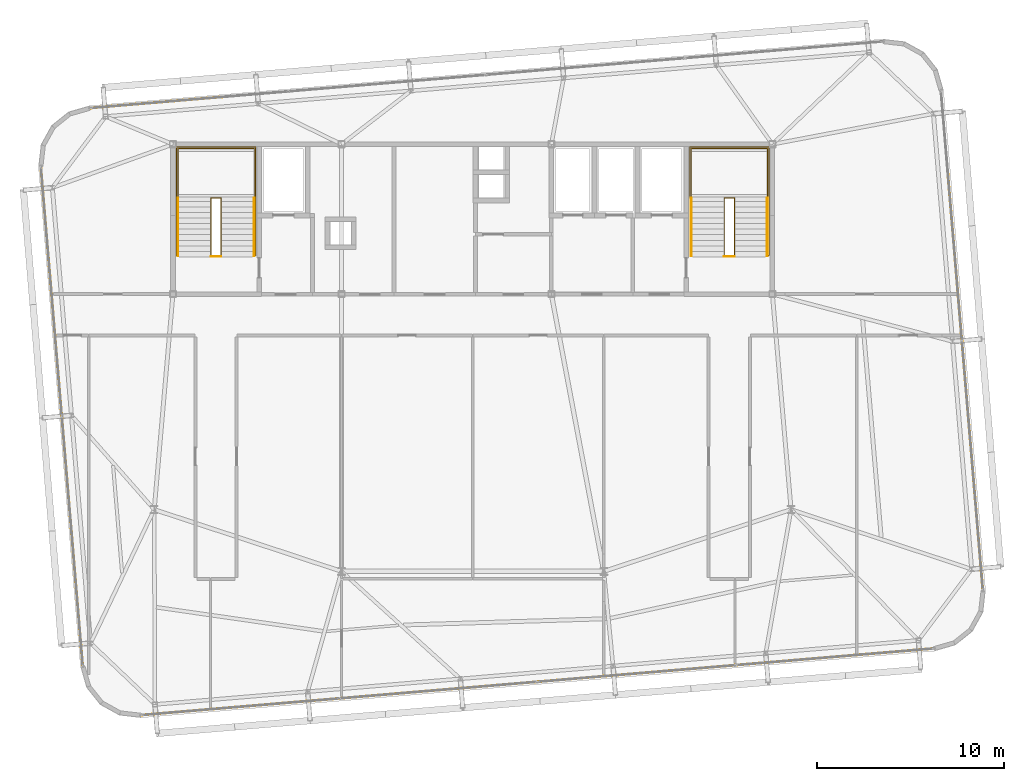
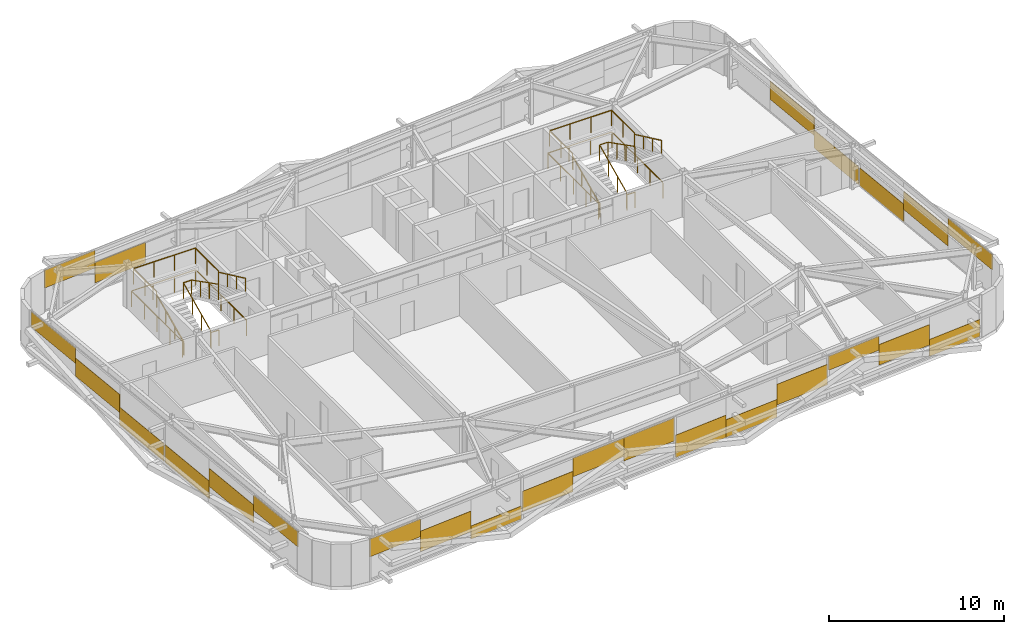
# One storey, part 38 of 39: 25 coverings, 12 railings.
"""IFC4 building model written with IfcOpenShell, lengths in metres."""

from ifc_helpers import new_model, si_unit, direction, frame, origin, origin_2d, place, context, subcontext, project, spatial, rectangle, extrude, source, transform, mapped, material, layer, layer_set, type_object, element, save


model = new_model("IFC4")

# Units and contexts
model_context = context("Model", 3, precision=1e-05, world=origin(), true_north=direction((0.0, 1.0)))
body_context = subcontext(model_context, "Body", "Model", "MODEL_VIEW")
ifc_project = project(units=[si_unit("LENGTHUNIT", "METRE"), si_unit("AREAUNIT", "SQUARE_METRE"), si_unit("VOLUMEUNIT", "CUBIC_METRE"), si_unit("PLANEANGLEUNIT", "RADIAN"), si_unit("MASSUNIT", "GRAM", prefix="KILO")], contexts=[model_context])

# Site, building, storey
site_placement = place(None, origin())
site = spatial("IfcSite", under=ifc_project, at=site_placement, CompositionType="ELEMENT")
building_placement = place(site_placement, origin())
building = spatial("IfcBuilding", under=site, at=building_placement, Name="Taldren Reach Tower", CompositionType="ELEMENT")
storey_placement = place(building_placement, frame((0.0, 0.0, 175.699951171875)))
storey = spatial("IfcBuildingStorey", under=building, at=storey_placement, Name="L53", CompositionType="ELEMENT", Elevation=175.699951171875)

# Railings
ifc_material_1 = material(Name="Steel Gr 350 (C350L0)", Category="steel")
ifc_layer_1 = layer(ifc_material_1, 0.050048828125)
ifc_layer_set_1 = layer_set([ifc_layer_1], Name="Steel Gr 350 (C350L0)")
railing_type_1 = type_object("IfcRailingType", Name="RL-STAIR-GR", PredefinedType="GUARDRAIL", material=ifc_layer_set_1)
railing_1_placement = place(storey_placement, frame((19.260009765625, 29.135009765625, 1.574951171875)))
element("IfcRailing", 1, at=railing_1_placement, inside=storey, type_object=railing_type_1, Name="Stair half-landing perimeter guard ST1-L53", PredefinedType="GUARDRAIL", context=body_context, shape_type="SweptSolid", body=[
    extrude(rectangle(XDim=0.047852, YDim=0.047852, at=origin_2d()), frame((0.0, 0.0, 1.09619140625), z_axis=(0.0, 1.0, 0.0), x_axis=(-1.0, 0.0, 0.0)), (0.0, 0.0, 1.0), 2.64501953125),
    extrude(rectangle(XDim=0.047852, YDim=0.047852, at=origin_2d()), frame((0.0, 2.64501953125, 1.09619140625), z_axis=(1.0, 0.0, 0.0), x_axis=(0.0, 1.0, 0.0)), (0.0, 0.0, 1.0), 4.080078125),
    extrude(rectangle(XDim=0.047852, YDim=0.047852, at=origin_2d()), frame((4.080078125, 2.64501953125, 1.09619140625), z_axis=(0.0, -1.0, 0.0), x_axis=(1.0, 0.0, 0.0)), (0.0, 0.0, 1.0), 2.64501953125),
    extrude(rectangle(XDim=0.041992, YDim=0.041992, at=origin_2d()), origin(), (0.0, 0.0, 1.0), 1.072021484375),
    extrude(rectangle(XDim=0.041992, YDim=0.041992, at=origin_2d()), frame((0.0, 1.322509765625, 0.0)), (0.0, 0.0, 1.0), 1.072021484375),
    extrude(rectangle(XDim=0.041992, YDim=0.041992, at=origin_2d()), frame((0.0, 2.64501953125, 0.0)), (0.0, 0.0, 1.0), 1.072021484375),
    extrude(rectangle(XDim=0.041992, YDim=0.041992, at=origin_2d()), frame((1.360107421875, 2.64501953125, 0.0)), (0.0, 0.0, 1.0), 1.072021484375),
    extrude(rectangle(XDim=0.041992, YDim=0.041992, at=origin_2d()), frame((2.719970703125, 2.64501953125, 0.0)), (0.0, 0.0, 1.0), 1.072021484375),
    extrude(rectangle(XDim=0.041992, YDim=0.041992, at=origin_2d()), frame((4.080078125, 2.64501953125, 0.0)), (0.0, 0.0, 1.0), 1.072021484375),
    extrude(rectangle(XDim=0.041992, YDim=0.041992, at=origin_2d()), frame((4.080078125, 1.322509765625, 0.0)), (0.0, 0.0, 1.0), 1.072021484375),
    extrude(rectangle(XDim=0.041992, YDim=0.041992, at=origin_2d()), frame((4.080078125, 0.0, 0.0)), (0.0, 0.0, 1.0), 1.072021484375),
])
railing_2_placement = place(storey_placement, frame((21.030029296875, 26.050048828125, 0.13134765625)))
element("IfcRailing", 2, at=railing_2_placement, inside=storey, type_object=railing_type_1, Name="Stairwell inner guard ST1-L53", PredefinedType="GUARDRAIL", context=body_context, shape_type="SweptSolid", body=[
    extrude(rectangle(XDim=0.047852, YDim=0.047852, at=origin_2d()), frame((0.0, 0.0, 1.09619140625), z_axis=(0.0, 0.905737652094, 0.423838773095), x_axis=(-1.0, 0.0, 0.0)), (0.0, 0.0, 1.0), 3.406005859375),
    extrude(rectangle(XDim=0.047852, YDim=0.047852, at=origin_2d()), frame((0.0, 3.0849609375, 2.53955078125), z_axis=(1.0, 0.0, 0.0), x_axis=(0.0, 1.0, 0.0)), (0.0, 0.0, 1.0), 0.5400390625),
    extrude(rectangle(XDim=0.047852, YDim=0.047852, at=origin_2d()), frame((0.5400390625, 3.0849609375, 2.53955078125), z_axis=(0.0, -0.890617412389, 0.454753366946), x_axis=(1.0, 0.0, 0.0)), (0.0, 0.0, 1.0), 3.4638671875),
    extrude(rectangle(XDim=0.041992, YDim=0.041992, at=origin_2d()), origin(), (0.0, 0.0, 1.0), 1.072021484375),
    extrude(rectangle(XDim=0.041992, YDim=0.041992, at=origin_2d()), frame((0.0, 1.0283203125, 0.481201171875)), (0.0, 0.0, 1.0), 1.072021484375),
    extrude(rectangle(XDim=0.041992, YDim=0.041992, at=origin_2d()), frame((0.0, 2.056640625, 0.96240234375)), (0.0, 0.0, 1.0), 1.072021484375),
    extrude(rectangle(XDim=0.041992, YDim=0.041992, at=origin_2d()), frame((0.0, 3.0849609375, 1.443603515625)), (0.0, 0.0, 1.0), 1.072021484375),
    extrude(rectangle(XDim=0.041992, YDim=0.041992, at=origin_2d()), frame((0.5400390625, 3.0849609375, 1.443603515625)), (0.0, 0.0, 1.0), 1.072021484375),
    extrude(rectangle(XDim=0.041992, YDim=0.041992, at=origin_2d()), frame((0.5400390625, 2.056640625, 1.96875)), (0.0, 0.0, 1.0), 1.072021484375),
    extrude(rectangle(XDim=0.041992, YDim=0.041992, at=origin_2d()), frame((0.5400390625, 1.0283203125, 2.49365234375)), (0.0, 0.0, 1.0), 1.072021484375),
    extrude(rectangle(XDim=0.041992, YDim=0.041992, at=origin_2d()), frame((0.5400390625, 0.0, 3.018798828125)), (0.0, 0.0, 1.0), 1.072021484375),
])
railing_3_placement = place(storey_placement, frame((21.030029296875, 26.010009765625, 0.0)))
element("IfcRailing", 3, at=railing_3_placement, inside=storey, type_object=railing_type_1, Name="Stairwell landing slot guard ST1-L53", PredefinedType="GUARDRAIL", context=body_context, shape_type="SweptSolid", body=[
    extrude(rectangle(XDim=0.047852, YDim=0.047852, at=origin_2d()), frame((0.0, 0.0, 1.09619140625), z_axis=(1.0, 0.0, 0.0), x_axis=(0.0, 1.0, 0.0)), (0.0, 0.0, 1.0), 0.5400390625),
    extrude(rectangle(XDim=0.041992, YDim=0.041992, at=origin_2d()), origin(), (0.0, 0.0, 1.0), 1.072021484375),
    extrude(rectangle(XDim=0.041992, YDim=0.041992, at=origin_2d()), frame((0.5400390625, 0.0, 0.0)), (0.0, 0.0, 1.0), 1.072021484375),
])
railing_4_placement = place(storey_placement, frame((19.18994140625, 26.050048828125, 0.0)))
element("IfcRailing", 4, at=railing_4_placement, inside=storey, type_object=railing_type_1, Name="Stairwell floor opening guard ST1-L53", PredefinedType="GUARDRAIL", context=body_context, shape_type="SweptSolid", body=[
    extrude(rectangle(XDim=0.047852, YDim=0.047852, at=origin_2d()), frame((0.0, 0.0, 1.09619140625), z_axis=(0.0, 1.0, 0.0), x_axis=(-1.0, 0.0, 0.0)), (0.0, 0.0, 1.0), 5.800048828125),
    extrude(rectangle(XDim=0.047852, YDim=0.047852, at=origin_2d()), frame((0.0, 5.800048828125, 1.09619140625), z_axis=(1.0, 0.0, 0.0), x_axis=(0.0, 1.0, 0.0)), (0.0, 0.0, 1.0), 4.219970703125),
    extrude(rectangle(XDim=0.047852, YDim=0.047852, at=origin_2d()), frame((4.219970703125, 5.800048828125, 1.09619140625), z_axis=(0.0, -1.0, 0.0), x_axis=(1.0, 0.0, 0.0)), (0.0, 0.0, 1.0), 5.800048828125),
    extrude(rectangle(XDim=0.041992, YDim=0.041992, at=origin_2d()), origin(), (0.0, 0.0, 1.0), 1.072021484375),
    extrude(rectangle(XDim=0.041992, YDim=0.041992, at=origin_2d()), frame((0.0, 1.449951171875, 0.0)), (0.0, 0.0, 1.0), 1.072021484375),
    extrude(rectangle(XDim=0.041992, YDim=0.041992, at=origin_2d()), frame((0.0, 2.89990234375, 0.0)), (0.0, 0.0, 1.0), 1.072021484375),
    extrude(rectangle(XDim=0.041992, YDim=0.041992, at=origin_2d()), frame((0.0, 4.35009765625, 0.0)), (0.0, 0.0, 1.0), 1.072021484375),
    extrude(rectangle(XDim=0.041992, YDim=0.041992, at=origin_2d()), frame((0.0, 5.800048828125, 0.0)), (0.0, 0.0, 1.0), 1.072021484375),
    extrude(rectangle(XDim=0.041992, YDim=0.041992, at=origin_2d()), frame((1.40673828125, 5.800048828125, 0.0)), (0.0, 0.0, 1.0), 1.072021484375),
    extrude(rectangle(XDim=0.041992, YDim=0.041992, at=origin_2d()), frame((2.813232421875, 5.800048828125, 0.0)), (0.0, 0.0, 1.0), 1.072021484375),
    extrude(rectangle(XDim=0.041992, YDim=0.041992, at=origin_2d()), frame((4.219970703125, 5.800048828125, 0.0)), (0.0, 0.0, 1.0), 1.072021484375),
    extrude(rectangle(XDim=0.041992, YDim=0.041992, at=origin_2d()), frame((4.219970703125, 4.35009765625, 0.0)), (0.0, 0.0, 1.0), 1.072021484375),
    extrude(rectangle(XDim=0.041992, YDim=0.041992, at=origin_2d()), frame((4.219970703125, 2.89990234375, 0.0)), (0.0, 0.0, 1.0), 1.072021484375),
    extrude(rectangle(XDim=0.041992, YDim=0.041992, at=origin_2d()), frame((4.219970703125, 1.449951171875, 0.0)), (0.0, 0.0, 1.0), 1.072021484375),
    extrude(rectangle(XDim=0.041992, YDim=0.041992, at=origin_2d()), frame((4.219970703125, 0.0, 0.0)), (0.0, 0.0, 1.0), 1.072021484375),
])
railing_5_placement = place(storey_placement, frame((46.659912109375, 29.135009765625, 1.574951171875)))
element("IfcRailing", 5, at=railing_5_placement, inside=storey, type_object=railing_type_1, Name="Stair half-landing perimeter guard ST2-L53", PredefinedType="GUARDRAIL", context=body_context, shape_type="SweptSolid", body=[
    extrude(rectangle(XDim=0.047852, YDim=0.047852, at=origin_2d()), frame((0.0, 0.0, 1.09619140625), z_axis=(0.0, 1.0, 0.0), x_axis=(-1.0, 0.0, 0.0)), (0.0, 0.0, 1.0), 2.64501953125),
    extrude(rectangle(XDim=0.047852, YDim=0.047852, at=origin_2d()), frame((0.0, 2.64501953125, 1.09619140625), z_axis=(1.0, 0.0, 0.0), x_axis=(0.0, 1.0, 0.0)), (0.0, 0.0, 1.0), 4.080078125),
    extrude(rectangle(XDim=0.047852, YDim=0.047852, at=origin_2d()), frame((4.080078125, 2.64501953125, 1.09619140625), z_axis=(0.0, -1.0, 0.0), x_axis=(1.0, 0.0, 0.0)), (0.0, 0.0, 1.0), 2.64501953125),
    extrude(rectangle(XDim=0.041992, YDim=0.041992, at=origin_2d()), origin(), (0.0, 0.0, 1.0), 1.072021484375),
    extrude(rectangle(XDim=0.041992, YDim=0.041992, at=origin_2d()), frame((0.0, 1.322509765625, 0.0)), (0.0, 0.0, 1.0), 1.072021484375),
    extrude(rectangle(XDim=0.041992, YDim=0.041992, at=origin_2d()), frame((0.0, 2.64501953125, 0.0)), (0.0, 0.0, 1.0), 1.072021484375),
    extrude(rectangle(XDim=0.041992, YDim=0.041992, at=origin_2d()), frame((1.360107421875, 2.64501953125, 0.0)), (0.0, 0.0, 1.0), 1.072021484375),
    extrude(rectangle(XDim=0.041992, YDim=0.041992, at=origin_2d()), frame((2.719970703125, 2.64501953125, 0.0)), (0.0, 0.0, 1.0), 1.072021484375),
    extrude(rectangle(XDim=0.041992, YDim=0.041992, at=origin_2d()), frame((4.080078125, 2.64501953125, 0.0)), (0.0, 0.0, 1.0), 1.072021484375),
    extrude(rectangle(XDim=0.041992, YDim=0.041992, at=origin_2d()), frame((4.080078125, 1.322509765625, 0.0)), (0.0, 0.0, 1.0), 1.072021484375),
    extrude(rectangle(XDim=0.041992, YDim=0.041992, at=origin_2d()), frame((4.080078125, 0.0, 0.0)), (0.0, 0.0, 1.0), 1.072021484375),
])
railing_6_placement = place(storey_placement, frame((48.429931640625, 26.050048828125, 0.13134765625)))
element("IfcRailing", 6, at=railing_6_placement, inside=storey, type_object=railing_type_1, Name="Stairwell inner guard ST2-L53", PredefinedType="GUARDRAIL", context=body_context, shape_type="SweptSolid", body=[
    extrude(rectangle(XDim=0.047852, YDim=0.047852, at=origin_2d()), frame((0.0, 0.0, 1.09619140625), z_axis=(0.0, 0.905737652094, 0.423838773095), x_axis=(-1.0, 0.0, 0.0)), (0.0, 0.0, 1.0), 3.406005859375),
    extrude(rectangle(XDim=0.047852, YDim=0.047852, at=origin_2d()), frame((0.0, 3.0849609375, 2.53955078125), z_axis=(1.0, 0.0, 0.0), x_axis=(0.0, 1.0, 0.0)), (0.0, 0.0, 1.0), 0.5400390625),
    extrude(rectangle(XDim=0.047852, YDim=0.047852, at=origin_2d()), frame((0.5400390625, 3.0849609375, 2.53955078125), z_axis=(0.0, -0.890617412389, 0.454753366946), x_axis=(1.0, 0.0, 0.0)), (0.0, 0.0, 1.0), 3.4638671875),
    extrude(rectangle(XDim=0.041992, YDim=0.041992, at=origin_2d()), origin(), (0.0, 0.0, 1.0), 1.072021484375),
    extrude(rectangle(XDim=0.041992, YDim=0.041992, at=origin_2d()), frame((0.0, 1.0283203125, 0.481201171875)), (0.0, 0.0, 1.0), 1.072021484375),
    extrude(rectangle(XDim=0.041992, YDim=0.041992, at=origin_2d()), frame((0.0, 2.056640625, 0.96240234375)), (0.0, 0.0, 1.0), 1.072021484375),
    extrude(rectangle(XDim=0.041992, YDim=0.041992, at=origin_2d()), frame((0.0, 3.0849609375, 1.443603515625)), (0.0, 0.0, 1.0), 1.072021484375),
    extrude(rectangle(XDim=0.041992, YDim=0.041992, at=origin_2d()), frame((0.5400390625, 3.0849609375, 1.443603515625)), (0.0, 0.0, 1.0), 1.072021484375),
    extrude(rectangle(XDim=0.041992, YDim=0.041992, at=origin_2d()), frame((0.5400390625, 2.056640625, 1.96875)), (0.0, 0.0, 1.0), 1.072021484375),
    extrude(rectangle(XDim=0.041992, YDim=0.041992, at=origin_2d()), frame((0.5400390625, 1.0283203125, 2.49365234375)), (0.0, 0.0, 1.0), 1.072021484375),
    extrude(rectangle(XDim=0.041992, YDim=0.041992, at=origin_2d()), frame((0.5400390625, 0.0, 3.018798828125)), (0.0, 0.0, 1.0), 1.072021484375),
])
railing_7_placement = place(storey_placement, frame((48.429931640625, 26.010009765625, 0.0)))
element("IfcRailing", 7, at=railing_7_placement, inside=storey, type_object=railing_type_1, Name="Stairwell landing slot guard ST2-L53", PredefinedType="GUARDRAIL", context=body_context, shape_type="SweptSolid", body=[
    extrude(rectangle(XDim=0.047852, YDim=0.047852, at=origin_2d()), frame((0.0, 0.0, 1.09619140625), z_axis=(1.0, 0.0, 0.0), x_axis=(0.0, 1.0, 0.0)), (0.0, 0.0, 1.0), 0.5400390625),
    extrude(rectangle(XDim=0.041992, YDim=0.041992, at=origin_2d()), origin(), (0.0, 0.0, 1.0), 1.072021484375),
    extrude(rectangle(XDim=0.041992, YDim=0.041992, at=origin_2d()), frame((0.5400390625, 0.0, 0.0)), (0.0, 0.0, 1.0), 1.072021484375),
])
railing_8_placement = place(storey_placement, frame((46.590087890625, 26.050048828125, 0.0)))
element("IfcRailing", 8, at=railing_8_placement, inside=storey, type_object=railing_type_1, Name="Stairwell floor opening guard ST2-L53", PredefinedType="GUARDRAIL", context=body_context, shape_type="SweptSolid", body=[
    extrude(rectangle(XDim=0.047852, YDim=0.047852, at=origin_2d()), frame((0.0, 0.0, 1.09619140625), z_axis=(0.0, 1.0, 0.0), x_axis=(-1.0, 0.0, 0.0)), (0.0, 0.0, 1.0), 5.800048828125),
    extrude(rectangle(XDim=0.047852, YDim=0.047852, at=origin_2d()), frame((0.0, 5.800048828125, 1.09619140625), z_axis=(1.0, 0.0, 0.0), x_axis=(0.0, 1.0, 0.0)), (0.0, 0.0, 1.0), 4.219970703125),
    extrude(rectangle(XDim=0.047852, YDim=0.047852, at=origin_2d()), frame((4.219970703125, 5.800048828125, 1.09619140625), z_axis=(0.0, -1.0, 0.0), x_axis=(1.0, 0.0, 0.0)), (0.0, 0.0, 1.0), 5.800048828125),
    extrude(rectangle(XDim=0.041992, YDim=0.041992, at=origin_2d()), origin(), (0.0, 0.0, 1.0), 1.072021484375),
    extrude(rectangle(XDim=0.041992, YDim=0.041992, at=origin_2d()), frame((0.0, 1.449951171875, 0.0)), (0.0, 0.0, 1.0), 1.072021484375),
    extrude(rectangle(XDim=0.041992, YDim=0.041992, at=origin_2d()), frame((0.0, 2.89990234375, 0.0)), (0.0, 0.0, 1.0), 1.072021484375),
    extrude(rectangle(XDim=0.041992, YDim=0.041992, at=origin_2d()), frame((0.0, 4.35009765625, 0.0)), (0.0, 0.0, 1.0), 1.072021484375),
    extrude(rectangle(XDim=0.041992, YDim=0.041992, at=origin_2d()), frame((0.0, 5.800048828125, 0.0)), (0.0, 0.0, 1.0), 1.072021484375),
    extrude(rectangle(XDim=0.041992, YDim=0.041992, at=origin_2d()), frame((1.40673828125, 5.800048828125, 0.0)), (0.0, 0.0, 1.0), 1.072021484375),
    extrude(rectangle(XDim=0.041992, YDim=0.041992, at=origin_2d()), frame((2.813232421875, 5.800048828125, 0.0)), (0.0, 0.0, 1.0), 1.072021484375),
    extrude(rectangle(XDim=0.041992, YDim=0.041992, at=origin_2d()), frame((4.219970703125, 5.800048828125, 0.0)), (0.0, 0.0, 1.0), 1.072021484375),
    extrude(rectangle(XDim=0.041992, YDim=0.041992, at=origin_2d()), frame((4.219970703125, 4.35009765625, 0.0)), (0.0, 0.0, 1.0), 1.072021484375),
    extrude(rectangle(XDim=0.041992, YDim=0.041992, at=origin_2d()), frame((4.219970703125, 2.89990234375, 0.0)), (0.0, 0.0, 1.0), 1.072021484375),
    extrude(rectangle(XDim=0.041992, YDim=0.041992, at=origin_2d()), frame((4.219970703125, 1.449951171875, 0.0)), (0.0, 0.0, 1.0), 1.072021484375),
    extrude(rectangle(XDim=0.041992, YDim=0.041992, at=origin_2d()), frame((4.219970703125, 0.0, 0.0)), (0.0, 0.0, 1.0), 1.072021484375),
])
ifc_material_2 = material(Name="Stainless Steel Gr 316", Category="steel")
ifc_layer_2 = layer(ifc_material_2, 0.048095703125)
ifc_layer_set_2 = layer_set([ifc_layer_2], Name="Stainless Steel Gr 316")
railing_type_2 = type_object("IfcRailingType", Name="RL-STAIR-HR", PredefinedType="HANDRAIL", material=ifc_layer_set_2)
railing_9_placement = place(storey_placement, frame((19.27001953125, 26.050048828125, 0.13134765625)))
element("IfcRailing", 9, at=railing_9_placement, inside=storey, type_object=railing_type_2, Name="Stair flight handrail ST1-L53-1", PredefinedType="HANDRAIL", context=body_context, shape_type="SweptSolid", body=[
    extrude(rectangle(XDim=0.047852, YDim=0.047852, at=origin_2d()), frame((0.0, 0.0, 0.89599609375), z_axis=(0.0, 0.905737652094, 0.423838773095), x_axis=(-1.0, 0.0, 0.0)), (0.0, 0.0, 1.0), 3.406005859375),
    extrude(rectangle(XDim=0.041992, YDim=0.041992, at=origin_2d()), origin(), (0.0, 0.0, 1.0), 0.871826171875),
    extrude(rectangle(XDim=0.041992, YDim=0.041992, at=origin_2d()), frame((0.0, 1.0283203125, 0.481201171875)), (0.0, 0.0, 1.0), 0.871826171875),
    extrude(rectangle(XDim=0.041992, YDim=0.041992, at=origin_2d()), frame((0.0, 2.056640625, 0.96240234375)), (0.0, 0.0, 1.0), 0.871826171875),
    extrude(rectangle(XDim=0.041992, YDim=0.041992, at=origin_2d()), frame((0.0, 3.0849609375, 1.443603515625)), (0.0, 0.0, 1.0), 0.871826171875),
])
railing_10_placement = place(storey_placement, frame((23.330078125, 29.135009765625, 1.706298828125)))
element("IfcRailing", 10, at=railing_10_placement, inside=storey, type_object=railing_type_2, Name="Stair flight handrail ST1-L53-2", PredefinedType="HANDRAIL", context=body_context, shape_type="SweptSolid", body=[
    extrude(rectangle(XDim=0.047852, YDim=0.047852, at=origin_2d()), frame((0.0, 0.0, 0.89599609375), z_axis=(0.0, -0.905710134349, 0.423897573167), x_axis=(1.0, 0.0, 0.0)), (0.0, 0.0, 1.0), 3.406005859375),
    extrude(rectangle(XDim=0.041992, YDim=0.041992, at=origin_2d()), origin(), (0.0, 0.0, 1.0), 0.871826171875),
    extrude(rectangle(XDim=0.041992, YDim=0.041992, at=origin_2d()), frame((0.0, -1.0283203125, 0.481201171875)), (0.0, 0.0, 1.0), 0.871826171875),
    extrude(rectangle(XDim=0.041992, YDim=0.041992, at=origin_2d()), frame((0.0, -2.056640625, 0.962646484375)), (0.0, 0.0, 1.0), 0.871826171875),
    extrude(rectangle(XDim=0.041992, YDim=0.041992, at=origin_2d()), frame((0.0, -3.0849609375, 1.44384765625)), (0.0, 0.0, 1.0), 0.871826171875),
])
railing_11_placement = place(storey_placement, frame((46.669921875, 26.050048828125, 0.13134765625)))
element("IfcRailing", 11, at=railing_11_placement, inside=storey, type_object=railing_type_2, Name="Stair flight handrail ST2-L53-1", PredefinedType="HANDRAIL", context=body_context, shape_type="SweptSolid", body=[
    extrude(rectangle(XDim=0.047852, YDim=0.047852, at=origin_2d()), frame((0.0, 0.0, 0.89599609375), z_axis=(0.0, 0.905737652094, 0.423838773095), x_axis=(-1.0, 0.0, 0.0)), (0.0, 0.0, 1.0), 3.406005859375),
    extrude(rectangle(XDim=0.041992, YDim=0.041992, at=origin_2d()), origin(), (0.0, 0.0, 1.0), 0.871826171875),
    extrude(rectangle(XDim=0.041992, YDim=0.041992, at=origin_2d()), frame((0.0, 1.0283203125, 0.481201171875)), (0.0, 0.0, 1.0), 0.871826171875),
    extrude(rectangle(XDim=0.041992, YDim=0.041992, at=origin_2d()), frame((0.0, 2.056640625, 0.96240234375)), (0.0, 0.0, 1.0), 0.871826171875),
    extrude(rectangle(XDim=0.041992, YDim=0.041992, at=origin_2d()), frame((0.0, 3.0849609375, 1.443603515625)), (0.0, 0.0, 1.0), 0.871826171875),
])
railing_12_placement = place(storey_placement, frame((50.72998046875, 29.135009765625, 1.706298828125)))
element("IfcRailing", 12, at=railing_12_placement, inside=storey, type_object=railing_type_2, Name="Stair flight handrail ST2-L53-2", PredefinedType="HANDRAIL", context=body_context, shape_type="SweptSolid", body=[
    extrude(rectangle(XDim=0.047852, YDim=0.047852, at=origin_2d()), frame((0.0, 0.0, 0.89599609375), z_axis=(0.0, -0.905710134349, 0.423897573167), x_axis=(1.0, 0.0, 0.0)), (0.0, 0.0, 1.0), 3.406005859375),
    extrude(rectangle(XDim=0.041992, YDim=0.041992, at=origin_2d()), origin(), (0.0, 0.0, 1.0), 0.871826171875),
    extrude(rectangle(XDim=0.041992, YDim=0.041992, at=origin_2d()), frame((0.0, -1.0283203125, 0.481201171875)), (0.0, 0.0, 1.0), 0.871826171875),
    extrude(rectangle(XDim=0.041992, YDim=0.041992, at=origin_2d()), frame((0.0, -2.056640625, 0.962646484375)), (0.0, 0.0, 1.0), 0.871826171875),
    extrude(rectangle(XDim=0.041992, YDim=0.041992, at=origin_2d()), frame((0.0, -3.0849609375, 1.44384765625)), (0.0, 0.0, 1.0), 0.871826171875),
])

# Coverings
ifc_material_3 = material(Name="Pale Champagne Fluoropolymer Aluminium Spandrel Cladding", Category="aluminium")
ifc_layer_3 = layer(ifc_material_3, 0.0439453125)
ifc_layer_set_3 = layer_set([ifc_layer_3], Name="Pale Champagne Fluoropolymer Aluminium Spandrel Cladding")
covering_type = type_object("IfcCoveringType", Name="CV-CLAD-044", PredefinedType="CLADDING", material=ifc_layer_set_3)
shared_shape_1 = source(origin(), body_context, "Body", "SweptSolid", [
    extrude(rectangle(XDim=3.506591796875, YDim=0.0439453125, at=origin_2d()), origin(), (0.0, 0.0, 1.0), 1.177734375),
])
covering_1_placement = place(storey_placement, frame((57.819091796875, 4.922607421875, 0.06005859375), z_axis=(0.0, 0.0, 1.0), x_axis=(0.996492854922, 0.083677894865, 0.0)))
element("IfcCovering", 13, at=covering_1_placement, inside=storey, type_object=covering_type, Name="Diagrid closure cladding strip CW-5 panel 4.1 3", PredefinedType="CLADDING", context=body_context, shape_type="MappedRepresentation", body=[
    mapped(shared_shape_1, transform((0.0, 0.0, 0.0), scale=1.0)),
])
shared_shape_2 = source(origin(), body_context, "Body", "SweptSolid", [
    extrude(rectangle(XDim=3.506591796875, YDim=0.0439453125, at=origin_2d()), origin(), (0.0, 0.0, 1.0), 1.42724609375),
])
for number, where, z_axis, x_axis, name in (
    (14, (22.596435546875, 1.96484375, 0.5908203125), (0.0, 0.0, 1.0), (0.996492854922, 0.083677894865, 0.0), "Diagrid closure cladding strip CW-5 panel 1.1 2"),
    (15, (54.32470703125, 4.629150390625, 0.85205078125), (0.0, 0.0, 1.0), (0.996492854922, 0.083677894865, 0.0), "Diagrid closure cladding strip CW-5 panel 4.1 2"),
    (16, (19.875244140625, 34.370849609375, 0.5908203125), (0.0, 0.0, 1.0), (-0.99649285657, -0.083677875247, 0.0), "Diagrid closure cladding strip CW-5 panel 4.1 2"),
):
    element("IfcCovering", number, at=place(storey_placement, frame(where, z_axis=z_axis, x_axis=x_axis)), inside=storey, type_object=covering_type, Name=name, PredefinedType="CLADDING", context=body_context, shape_type="MappedRepresentation", body=[
        mapped(shared_shape_2, transform((0.0, 0.0, 0.0), scale=1.0)),
    ])
shared_shape_3 = source(origin(), body_context, "Body", "SweptSolid", [
    extrude(rectangle(XDim=3.506591796875, YDim=0.0439453125, at=origin_2d()), origin(), (0.0, 0.0, 1.0), 0.976318359375),
])
covering_2_placement = place(storey_placement, frame((50.830322265625, 4.335693359375, 1.8935546875), z_axis=(0.0, 0.0, 1.0), x_axis=(0.996492854922, 0.083677894865, 0.0)))
element("IfcCovering", 17, at=covering_2_placement, inside=storey, type_object=covering_type, Name="Diagrid closure cladding strip CW-5 panel 4.1 1", PredefinedType="CLADDING", context=body_context, shape_type="MappedRepresentation", body=[
    mapped(shared_shape_3, transform((0.0, 0.0, 0.0), scale=1.0)),
])
shared_shape_4 = source(origin(), body_context, "Body", "SweptSolid", [
    extrude(rectangle(XDim=3.518310546875, YDim=0.0439453125, at=origin_2d()), origin(), (0.0, 0.0, 1.0), 1.4306640625),
])
for number, where, z_axis, x_axis, name in (
    (18, (29.66064453125, 2.55810546875, 0.5263671875), (0.0, 0.0, 1.0), (0.996492854922, 0.083677894865, 0.0), "Diagrid closure cladding strip CW-5 panel 2.1 1"),
    (19, (47.260498046875, 4.035888671875, 0.9130859375), (0.0, 0.0, 1.0), (0.996492854922, 0.083677894865, 0.0), "Diagrid closure cladding strip CW-5 panel 3.1 3"),
):
    element("IfcCovering", number, at=place(storey_placement, frame(where, z_axis=z_axis, x_axis=x_axis)), inside=storey, type_object=covering_type, Name=name, PredefinedType="CLADDING", context=body_context, shape_type="MappedRepresentation", body=[
        mapped(shared_shape_4, transform((0.0, 0.0, 0.0), scale=1.0)),
    ])
shared_shape_5 = source(origin(), body_context, "Body", "SweptSolid", [
    extrude(rectangle(XDim=3.518310546875, YDim=0.0439453125, at=origin_2d()), origin(), (0.0, 0.0, 1.0), 1.238525390625),
])
covering_3_placement = place(storey_placement, frame((43.75439453125, 3.741455078125, 0.06005859375), z_axis=(0.0, 0.0, 1.0), x_axis=(0.996492854922, 0.083677894865, 0.0)))
element("IfcCovering", 20, at=covering_3_placement, inside=storey, type_object=covering_type, Name="Diagrid closure cladding strip CW-5 panel 3.1 2", PredefinedType="CLADDING", context=body_context, shape_type="MappedRepresentation", body=[
    mapped(shared_shape_5, transform((0.0, 0.0, 0.0), scale=1.0)),
])
shared_shape_6 = source(origin(), body_context, "Body", "SweptSolid", [
    extrude(rectangle(XDim=3.518310546875, YDim=0.0439453125, at=origin_2d()), origin(), (0.0, 0.0, 1.0), 1.557373046875),
])
covering_4_placement = place(storey_placement, frame((40.24853515625, 3.447265625, 0.06005859375), z_axis=(0.0, 0.0, 1.0), x_axis=(0.996492854922, 0.083677894865, 0.0)))
element("IfcCovering", 21, at=covering_4_placement, inside=storey, type_object=covering_type, Name="Diagrid closure cladding strip CW-5 panel 3.1 1", PredefinedType="CLADDING", context=body_context, shape_type="MappedRepresentation", body=[
    mapped(shared_shape_6, transform((0.0, 0.0, 0.0), scale=1.0)),
])
shared_shape_7 = source(origin(), body_context, "Body", "SweptSolid", [
    extrude(rectangle(XDim=3.518310546875, YDim=0.0439453125, at=origin_2d()), origin(), (0.0, 0.0, 1.0), 1.617431640625),
])
covering_5_placement = place(storey_placement, frame((36.672607421875, 3.14697265625, 1.25244140625), z_axis=(0.0, 0.0, 1.0), x_axis=(0.996492854922, 0.083677894865, 0.0)))
element("IfcCovering", 22, at=covering_5_placement, inside=storey, type_object=covering_type, Name="Diagrid closure cladding strip CW-5 panel 2.1 3", PredefinedType="CLADDING", context=body_context, shape_type="MappedRepresentation", body=[
    mapped(shared_shape_7, transform((0.0, 0.0, 0.0), scale=1.0)),
])
shared_shape_8 = source(origin(), body_context, "Body", "SweptSolid", [
    extrude(rectangle(XDim=3.518310546875, YDim=0.0439453125, at=origin_2d()), origin(), (0.0, 0.0, 1.0), 1.298583984375),
])
covering_6_placement = place(storey_placement, frame((33.166748046875, 2.8525390625, 1.5712890625), z_axis=(0.0, 0.0, 1.0), x_axis=(0.996492854922, 0.083677894865, 0.0)))
element("IfcCovering", 23, at=covering_6_placement, inside=storey, type_object=covering_type, Name="Diagrid closure cladding strip CW-5 panel 2.1 2", PredefinedType="CLADDING", context=body_context, shape_type="MappedRepresentation", body=[
    mapped(shared_shape_8, transform((0.0, 0.0, 0.0), scale=1.0)),
])
shared_shape_9 = source(origin(), body_context, "Body", "SweptSolid", [
    extrude(rectangle(XDim=3.506591796875, YDim=0.0439453125, at=origin_2d()), origin(), (0.0, 0.0, 1.0), 0.916259765625),
])
covering_7_placement = place(storey_placement, frame((26.0908203125, 2.25830078125, 0.06005859375), z_axis=(0.0, 0.0, 1.0), x_axis=(0.996492854922, 0.083677894865, 0.0)))
element("IfcCovering", 24, at=covering_7_placement, inside=storey, type_object=covering_type, Name="Diagrid closure cladding strip CW-5 panel 1.1 3", PredefinedType="CLADDING", context=body_context, shape_type="MappedRepresentation", body=[
    mapped(shared_shape_9, transform((0.0, 0.0, 0.0), scale=1.0)),
])
shared_shape_10 = source(origin(), body_context, "Body", "SweptSolid", [
    extrude(rectangle(XDim=3.506591796875, YDim=0.0439453125, at=origin_2d()), origin(), (0.0, 0.0, 1.0), 1.237548828125),
])
for number, where, z_axis, x_axis, name in (
    (25, (19.10205078125, 1.67138671875, 1.63232421875), (0.0, 0.0, 1.0), (0.996492854922, 0.083677894865, 0.0), "Diagrid closure cladding strip CW-5 panel 1.1 1"),
    (26, (16.380859375, 34.077392578125, 1.63232421875), (0.0, 0.0, 1.0), (-0.99649285657, -0.083677875247, 0.0), "Diagrid closure cladding strip CW-5 panel 4.1 3"),
):
    element("IfcCovering", number, at=place(storey_placement, frame(where, z_axis=z_axis, x_axis=x_axis)), inside=storey, type_object=covering_type, Name=name, PredefinedType="CLADDING", context=body_context, shape_type="MappedRepresentation", body=[
        mapped(shared_shape_10, transform((0.0, 0.0, 0.0), scale=1.0)),
    ])
shared_shape_11 = source(origin(), body_context, "Body", "SweptSolid", [
    extrude(rectangle(XDim=4.431640625, YDim=0.0439453125, at=origin_2d()), origin(), (0.0, 0.0, 1.0), 1.259765625),
])
for number, where, z_axis, x_axis, name in (
    (27, (12.515380859375, 24.1416015625, 0.921142578125), (0.0, 0.0, 1.0), (0.083677979808, -0.996492847789, 0.0), "Diagrid closure cladding strip CW-5 panel 1.1 2"),
    (28, (13.6337890625, 10.823486328125, 0.921142578125), (0.0, 0.0, 1.0), (0.083677979808, -0.996492847789, 0.0), "Diagrid closure cladding strip CW-5 panel 2.1 2"),
    (29, (61.6845703125, 14.8583984375, 0.921142578125), (0.0, 0.0, 1.0), (-0.083677979808, 0.996492847789, 0.0), "Diagrid closure cladding strip CW-5 panel 1.1 2"),
    (30, (60.566162109375, 28.176513671875, 0.921142578125), (0.0, 0.0, 1.0), (-0.083677979808, 0.996492847789, 0.0), "Diagrid closure cladding strip CW-5 panel 2.1 2"),
):
    element("IfcCovering", number, at=place(storey_placement, frame(where, z_axis=z_axis, x_axis=x_axis)), inside=storey, type_object=covering_type, Name=name, PredefinedType="CLADDING", context=body_context, shape_type="MappedRepresentation", body=[
        mapped(shared_shape_11, transform((0.0, 0.0, 0.0), scale=1.0)),
    ])
shared_shape_12 = source(origin(), body_context, "Body", "SweptSolid", [
    extrude(rectangle(XDim=4.431640625, YDim=0.0439453125, at=origin_2d()), origin(), (0.0, 0.0, 1.0), 1.066162109375),
])
for number, where, z_axis, x_axis, name in (
    (31, (12.14453125, 28.5576171875, 1.8037109375), (0.0, 0.0, 1.0), (0.083677979808, -0.996492847789, 0.0), "Diagrid closure cladding strip CW-5 panel 1.1 1"),
    (32, (14.004638671875, 6.4072265625, 1.8037109375), (0.0, 0.0, 1.0), (0.083677979808, -0.996492847789, 0.0), "Diagrid closure cladding strip CW-5 panel 2.1 3"),
    (33, (62.055419921875, 10.4423828125, 1.8037109375), (0.0, 0.0, 1.0), (-0.083677979808, 0.996492847789, 0.0), "Diagrid closure cladding strip CW-5 panel 1.1 1"),
):
    element("IfcCovering", number, at=place(storey_placement, frame(where, z_axis=z_axis, x_axis=x_axis)), inside=storey, type_object=covering_type, Name=name, PredefinedType="CLADDING", context=body_context, shape_type="MappedRepresentation", body=[
        mapped(shared_shape_12, transform((0.0, 0.0, 0.0), scale=1.0)),
    ])
shared_shape_13 = source(origin(), body_context, "Body", "SweptSolid", [
    extrude(rectangle(XDim=4.431640625, YDim=0.0439453125, at=origin_2d()), origin(), (0.0, 0.0, 1.0), 1.23828125),
])
for number, where, z_axis, x_axis, name in (
    (34, (12.88623046875, 19.7255859375, 0.06005859375), (0.0, 0.0, 1.0), (0.083677979808, -0.996492847789, 0.0), "Diagrid closure cladding strip CW-5 panel 1.1 3"),
    (35, (13.262939453125, 15.239501953125, 0.06005859375), (0.0, 0.0, 1.0), (0.083677979808, -0.996492847789, 0.0), "Diagrid closure cladding strip CW-5 panel 2.1 1"),
    (36, (61.313720703125, 19.2744140625, 0.06005859375), (0.0, 0.0, 1.0), (-0.083677979808, 0.996492847789, 0.0), "Diagrid closure cladding strip CW-5 panel 1.1 3"),
    (37, (60.93701171875, 23.760498046875, 0.06005859375), (0.0, 0.0, 1.0), (-0.083677979808, 0.996492847789, 0.0), "Diagrid closure cladding strip CW-5 panel 2.1 1"),
):
    element("IfcCovering", number, at=place(storey_placement, frame(where, z_axis=z_axis, x_axis=x_axis)), inside=storey, type_object=covering_type, Name=name, PredefinedType="CLADDING", context=body_context, shape_type="MappedRepresentation", body=[
        mapped(shared_shape_13, transform((0.0, 0.0, 0.0), scale=1.0)),
    ])

save(model, "model.ifc")
